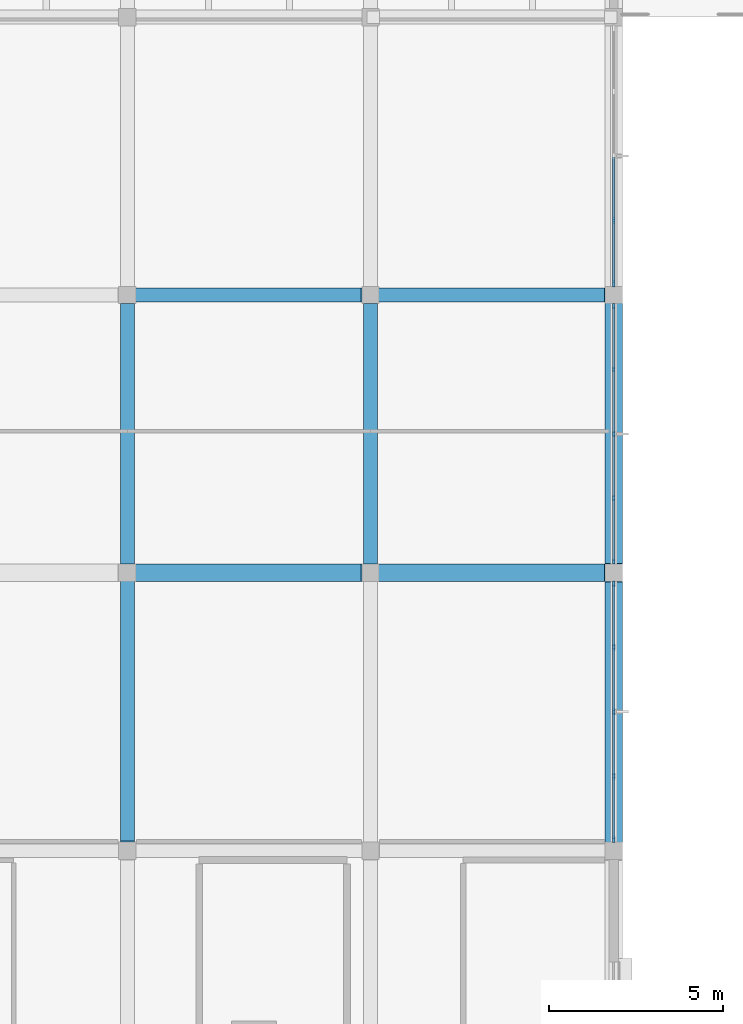
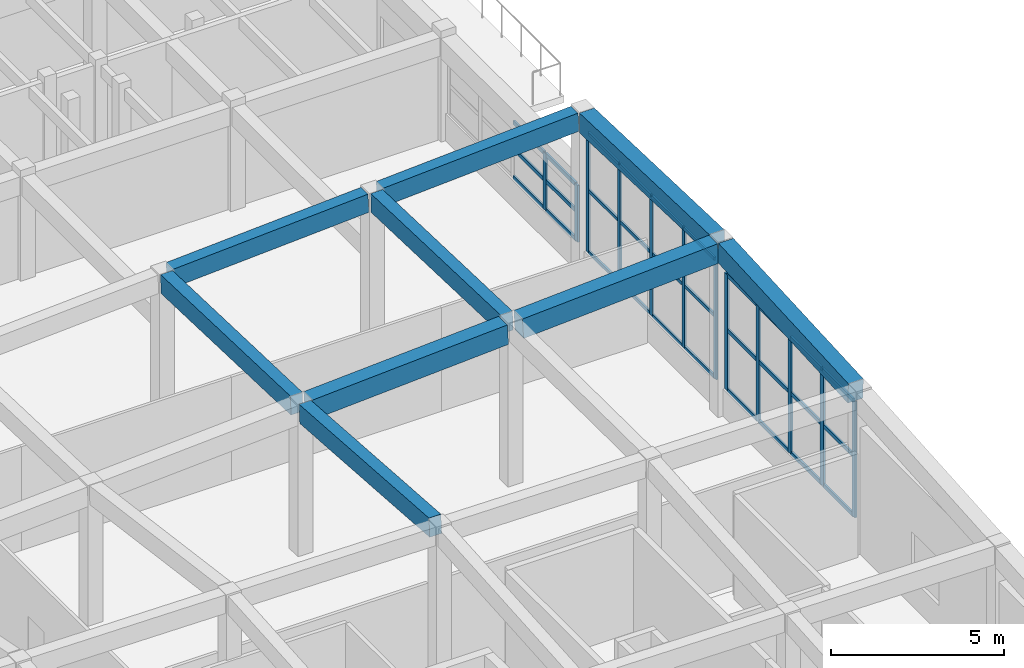
# One storey, part 36 of 89: 42 members, 9 beams, 3 elements without a shape of their own.
"""IFC4 building model written with IfcOpenShell, lengths in metres."""

from ifc_helpers import new_model, si_unit, direction, frame, origin, origin_2d, place, context, subcontext, project, spatial, rectangle, extrude, material, layer, layer_set, material_profile, profile_set, type_object, element, aggregate, save


model = new_model("IFC4")

# Units and contexts
model_context = context("Model", 3, precision=1e-05, world=origin(), true_north=direction((0.0, 1.0)))
body_context = subcontext(model_context, "Body", "Model", "MODEL_VIEW")
ifc_project = project(units=[si_unit("LENGTHUNIT", "METRE"), si_unit("AREAUNIT", "SQUARE_METRE"), si_unit("VOLUMEUNIT", "CUBIC_METRE"), si_unit("PLANEANGLEUNIT", "RADIAN"), si_unit("MASSUNIT", "GRAM", prefix="KILO")], contexts=[model_context])

# Site, building, storey
site_placement = place(None, origin())
site = spatial("IfcSite", under=ifc_project, at=site_placement, CompositionType="ELEMENT")
building_placement = place(site_placement, origin())
building = spatial("IfcBuilding", under=site, at=building_placement, Name="Tonlespit Floodbar School", CompositionType="ELEMENT")
storey_placement = place(building_placement, frame((0.0, 0.0, 4.5)))
storey = spatial("IfcBuildingStorey", under=building, at=storey_placement, Name="L01", CompositionType="ELEMENT", Elevation=4.5)

# Beams
ifc_material_1 = material(Name="Concrete C40/50", Category="concrete")
ifc_material_profile_1 = material_profile(ifc_material_1, rectangle(XDim=0.39990234375, YDim=0.64990234375, at=origin_2d()), Name="RC 400x650")
ifc_profile_set_1 = profile_set([ifc_material_profile_1], Name="Concrete C40/50")
beam_type_1 = type_object("IfcBeamType", Name="Beam_RC_400x650", PredefinedType="BEAM", material=ifc_profile_set_1)
for number, where, z_axis, x_axis, name in (
    (1, (162.25, 96.0, 4.74755859375), (0.99832914353, 0.0, 0.05778339882), (0.0, 1.0, 0.0), "L01 girder 0627"),
    (2, (169.25, 96.0, 5.15283203125), (0.99832914353, 0.0, 0.05778339882), (0.0, 1.0, 0.0), "L01 girder 0628"),
):
    element("IfcBeam", number, at=place(storey_placement, frame(where, z_axis=z_axis, x_axis=x_axis)), inside=storey, type_object=beam_type_1, Name=name, PredefinedType="BEAM", context=body_context, shape_type="SweptSolid", body=[
        extrude(rectangle(XDim=0.39990234375, YDim=0.64990234375, at=origin_2d()), origin(), (0.0, 0.0, 1.0), 6.510986328125),
    ])
beam_1_placement = place(storey_placement, frame((162.0, 80.25, 5.555908203125), z_axis=(0.0, 0.997450122095, -0.071367036731), x_axis=(-1.0, 0.0, 0.0)))
element("IfcBeam", 3, at=beam_1_placement, inside=storey, type_object=beam_type_1, Name="L01 girder 0770", PredefinedType="BEAM", context=body_context, shape_type="SweptSolid", body=[
    extrude(rectangle(XDim=0.39990234375, YDim=0.64990234375, at=origin_2d()), origin(), (0.0, 0.0, 1.0), 7.519287109375),
])
for number, where, z_axis, x_axis, name in (
    (4, (162.0, 88.25, 5.001953125), (0.0, 0.999398480102, -0.03467964778), (-1.0, 0.0, 0.0), "L01 girder 0771"),
    (5, (169.0, 88.25, 5.4072265625), (0.0, 0.999398480102, -0.03467964778), (-1.0, 0.0, 0.0), "L01 girder 0778"),
):
    element("IfcBeam", number, at=place(storey_placement, frame(where, z_axis=z_axis, x_axis=x_axis)), inside=storey, type_object=beam_type_1, Name=name, PredefinedType="BEAM", context=body_context, shape_type="SweptSolid", body=[
        extrude(rectangle(XDim=0.39990234375, YDim=0.64990234375, at=origin_2d()), origin(), (0.0, 0.0, 1.0), 7.50439453125),
    ])

# Curtain wall, members
ifc_material_2 = material(Name="Anodised Aluminium", Category="aluminium")
ifc_layer_1 = layer(ifc_material_2, 0.159912109375)
ifc_layer_set_1 = layer_set([ifc_layer_1], Name="Anodised Aluminium")
curtain_wall_type_1 = type_object("IfcCurtainWallType", Name="CurtainWall_7400x4250", PredefinedType="NOTDEFINED", material=ifc_layer_set_1)
curtain_wall_1_placement = place(storey_placement, origin())
curtain_wall_1 = element("IfcCurtainWall", 6, at=curtain_wall_1_placement, inside=storey, type_object=curtain_wall_type_1, Name="L01 unitised curtain wall 0412", PredefinedType="NOTDEFINED")
ifc_material_profile_2 = material_profile(ifc_material_2, rectangle(XDim=0.06494140625, YDim=0.14990234375, at=origin_2d()), Name="ALU M65x150")
ifc_profile_set_2 = profile_set([ifc_material_profile_2], Name="Anodised Aluminium")
member_type_1 = type_object("IfcMemberType", Name="CW_Mullion_65x150", PredefinedType="MULLION", material=ifc_profile_set_2)
member_1_placement = place(storey_placement, frame((176.0, 95.677490234375, 0.949951171875), z_axis=(0.0, 0.0, 1.0), x_axis=(1.0, 0.0, 0.0)))
member_1 = element("IfcMember", 7, at=member_1_placement, type_object=member_type_1, Name="CW-63 mullion 1", PredefinedType="MULLION", context=body_context, shape_type="SweptSolid", body=[
    extrude(rectangle(XDim=0.06494140625, YDim=0.14990234375, at=origin_2d()), origin(), (0.0, 0.0, 1.0), 4.227294921875),
])
member_2_placement = place(storey_placement, frame((176.0, 93.85498046875, 0.949951171875), z_axis=(0.0, 0.0, 1.0), x_axis=(1.0, 0.0, 0.0)))
member_2 = element("IfcMember", 8, at=member_2_placement, type_object=member_type_1, Name="CW-63 mullion 2", PredefinedType="MULLION", context=body_context, shape_type="SweptSolid", body=[
    extrude(rectangle(XDim=0.06494140625, YDim=0.14990234375, at=origin_2d()), origin(), (0.0, 0.0, 1.0), 4.227294921875),
])
member_3_placement = place(storey_placement, frame((176.0, 92.0, 0.949951171875), z_axis=(0.0, 0.0, 1.0), x_axis=(1.0, 0.0, 0.0)))
member_3 = element("IfcMember", 9, at=member_3_placement, type_object=member_type_1, Name="CW-63 mullion 3", PredefinedType="MULLION", context=body_context, shape_type="SweptSolid", body=[
    extrude(rectangle(XDim=0.06494140625, YDim=0.14990234375, at=origin_2d()), origin(), (0.0, 0.0, 1.0), 4.227294921875),
])
member_4_placement = place(storey_placement, frame((176.0, 90.14501953125, 0.949951171875), z_axis=(0.0, 0.0, 1.0), x_axis=(1.0, 0.0, 0.0)))
member_4 = element("IfcMember", 10, at=member_4_placement, type_object=member_type_1, Name="CW-63 mullion 4", PredefinedType="MULLION", context=body_context, shape_type="SweptSolid", body=[
    extrude(rectangle(XDim=0.06494140625, YDim=0.14990234375, at=origin_2d()), origin(), (0.0, 0.0, 1.0), 4.227294921875),
])
member_5_placement = place(storey_placement, frame((176.0, 88.322509765625, 0.949951171875), z_axis=(0.0, 0.0, 1.0), x_axis=(1.0, 0.0, 0.0)))
member_5 = element("IfcMember", 11, at=member_5_placement, type_object=member_type_1, Name="CW-63 mullion 5", PredefinedType="MULLION", context=body_context, shape_type="SweptSolid", body=[
    extrude(rectangle(XDim=0.06494140625, YDim=0.14990234375, at=origin_2d()), origin(), (0.0, 0.0, 1.0), 4.227294921875),
])

ifc_layer_2 = layer(ifc_material_2, 0.159912109375)
ifc_layer_set_2 = layer_set([ifc_layer_2], Name="Anodised Aluminium")
curtain_wall_type_2 = type_object("IfcCurtainWallType", Name="CurtainWall_7400x2000", PredefinedType="NOTDEFINED", material=ifc_layer_set_2)
curtain_wall_2_placement = place(storey_placement, origin())
curtain_wall_2 = element("IfcCurtainWall", 12, at=curtain_wall_2_placement, inside=storey, type_object=curtain_wall_type_2, Name="L01 unitised curtain wall 0411", PredefinedType="NOTDEFINED")
ifc_material_profile_3 = material_profile(ifc_material_2, rectangle(XDim=0.06494140625, YDim=0.179931640625, at=origin_2d()), Name="ALU M65x180")
ifc_profile_set_3 = profile_set([ifc_material_profile_3], Name="Anodised Aluminium")
member_type_2 = type_object("IfcMemberType", Name="CW_Mullion_65x180", PredefinedType="MULLION", material=ifc_profile_set_3)
member_6_placement = place(storey_placement, frame((176.0, 98.14501953125, 0.949951171875), z_axis=(0.0, 0.0, 1.0), x_axis=(1.0, 0.0, 0.0)))
member_6 = element("IfcMember", 13, at=member_6_placement, type_object=member_type_2, Name="CW-60 mullion 4", PredefinedType="MULLION", context=body_context, shape_type="SweptSolid", body=[
    extrude(rectangle(XDim=0.06494140625, YDim=0.179931640625, at=origin_2d()), origin(), (0.0, 0.0, 1.0), 2.0),
])
member_7_placement = place(storey_placement, frame((176.0, 96.322509765625, 0.949951171875), z_axis=(0.0, 0.0, 1.0), x_axis=(1.0, 0.0, 0.0)))
member_7 = element("IfcMember", 14, at=member_7_placement, type_object=member_type_2, Name="CW-60 mullion 5", PredefinedType="MULLION", context=body_context, shape_type="SweptSolid", body=[
    extrude(rectangle(XDim=0.06494140625, YDim=0.179931640625, at=origin_2d()), origin(), (0.0, 0.0, 1.0), 2.0),
])

ifc_layer_3 = layer(ifc_material_2, 0.159912109375)
ifc_layer_set_3 = layer_set([ifc_layer_3], Name="Anodised Aluminium")
curtain_wall_type_3 = type_object("IfcCurtainWallType", Name="CurtainWall_7400x4100", PredefinedType="NOTDEFINED", material=ifc_layer_set_3)
curtain_wall_3_placement = place(storey_placement, origin())
curtain_wall_3 = element("IfcCurtainWall", 15, at=curtain_wall_3_placement, inside=storey, type_object=curtain_wall_type_3, Name="L01 unitised curtain wall 0413", PredefinedType="NOTDEFINED")
member_8_placement = place(storey_placement, frame((176.0, 87.677490234375, 0.949951171875), z_axis=(0.0, 0.0, 1.0), x_axis=(1.0, 0.0, 0.0)))
member_8 = element("IfcMember", 16, at=member_8_placement, type_object=member_type_2, Name="CW-64 mullion 1", PredefinedType="MULLION", context=body_context, shape_type="SweptSolid", body=[
    extrude(rectangle(XDim=0.06494140625, YDim=0.179931640625, at=origin_2d()), origin(), (0.0, 0.0, 1.0), 4.09912109375),
])
member_9_placement = place(storey_placement, frame((176.0, 85.85498046875, 0.949951171875), z_axis=(0.0, 0.0, 1.0), x_axis=(1.0, 0.0, 0.0)))
member_9 = element("IfcMember", 17, at=member_9_placement, type_object=member_type_2, Name="CW-64 mullion 2", PredefinedType="MULLION", context=body_context, shape_type="SweptSolid", body=[
    extrude(rectangle(XDim=0.06494140625, YDim=0.179931640625, at=origin_2d()), origin(), (0.0, 0.0, 1.0), 4.09912109375),
])
member_10_placement = place(storey_placement, frame((176.0, 84.0, 0.949951171875), z_axis=(0.0, 0.0, 1.0), x_axis=(1.0, 0.0, 0.0)))
member_10 = element("IfcMember", 18, at=member_10_placement, type_object=member_type_2, Name="CW-64 mullion 3", PredefinedType="MULLION", context=body_context, shape_type="SweptSolid", body=[
    extrude(rectangle(XDim=0.06494140625, YDim=0.179931640625, at=origin_2d()), origin(), (0.0, 0.0, 1.0), 4.09912109375),
])
member_11_placement = place(storey_placement, frame((176.0, 82.14501953125, 0.949951171875), z_axis=(0.0, 0.0, 1.0), x_axis=(1.0, 0.0, 0.0)))
member_11 = element("IfcMember", 19, at=member_11_placement, type_object=member_type_2, Name="CW-64 mullion 4", PredefinedType="MULLION", context=body_context, shape_type="SweptSolid", body=[
    extrude(rectangle(XDim=0.06494140625, YDim=0.179931640625, at=origin_2d()), origin(), (0.0, 0.0, 1.0), 4.09912109375),
])
member_12_placement = place(storey_placement, frame((176.0, 80.322509765625, 0.949951171875), z_axis=(0.0, 0.0, 1.0), x_axis=(1.0, 0.0, 0.0)))
member_12 = element("IfcMember", 20, at=member_12_placement, type_object=member_type_2, Name="CW-64 mullion 5", PredefinedType="MULLION", context=body_context, shape_type="SweptSolid", body=[
    extrude(rectangle(XDim=0.06494140625, YDim=0.179931640625, at=origin_2d()), origin(), (0.0, 0.0, 1.0), 4.09912109375),
])

# Member
ifc_material_profile_4 = material_profile(ifc_material_2, rectangle(XDim=0.06494140625, YDim=0.1201171875, at=origin_2d()), Name="ALU T65x120")
ifc_profile_set_4 = profile_set([ifc_material_profile_4], Name="Anodised Aluminium")
member_type_3 = type_object("IfcMemberType", Name="CW_Transom_65x120", PredefinedType="USERDEFINED", material=ifc_profile_set_4)
member_13_placement = place(storey_placement, frame((176.0, 95.64501953125, 0.982421875), z_axis=(0.0, -1.0, 0.0), x_axis=(1.0, 0.0, 0.0)))
member_13 = element("IfcMember", 21, at=member_13_placement, type_object=member_type_3, Name="CW-63 transom 1.1", ObjectType="TRANSOM", PredefinedType="USERDEFINED", context=body_context, shape_type="SweptSolid", body=[
    extrude(rectangle(XDim=0.06494140625, YDim=0.1201171875, at=origin_2d()), origin(), (0.0, 0.0, 1.0), 1.757568359375),
])

member_14_placement = place(storey_placement, frame((176.0, 95.64501953125, 3.148193359375), z_axis=(0.0, -1.0, 0.0), x_axis=(1.0, 0.0, 0.0)))
member_14 = element("IfcMember", 22, at=member_14_placement, type_object=member_type_3, Name="CW-63 transom 1.2", ObjectType="TRANSOM", PredefinedType="USERDEFINED", context=body_context, shape_type="SweptSolid", body=[
    extrude(rectangle(XDim=0.06494140625, YDim=0.1201171875, at=origin_2d()), origin(), (0.0, 0.0, 1.0), 1.757568359375),
])

member_15_placement = place(storey_placement, frame((176.0, 95.64501953125, 5.144775390625), z_axis=(0.0, -1.0, 0.0), x_axis=(1.0, 0.0, 0.0)))
member_15 = element("IfcMember", 23, at=member_15_placement, type_object=member_type_3, Name="CW-63 transom 1.3", ObjectType="TRANSOM", PredefinedType="USERDEFINED", context=body_context, shape_type="SweptSolid", body=[
    extrude(rectangle(XDim=0.06494140625, YDim=0.1201171875, at=origin_2d()), origin(), (0.0, 0.0, 1.0), 1.757568359375),
])

member_16_placement = place(storey_placement, frame((176.0, 93.822509765625, 0.982421875), z_axis=(0.0, -1.0, 0.0), x_axis=(1.0, 0.0, 0.0)))
member_16 = element("IfcMember", 24, at=member_16_placement, type_object=member_type_3, Name="CW-63 transom 2.1", ObjectType="TRANSOM", PredefinedType="USERDEFINED", context=body_context, shape_type="SweptSolid", body=[
    extrude(rectangle(XDim=0.06494140625, YDim=0.1201171875, at=origin_2d()), origin(), (0.0, 0.0, 1.0), 1.7900390625),
])

member_17_placement = place(storey_placement, frame((176.0, 93.822509765625, 3.148193359375), z_axis=(0.0, -1.0, 0.0), x_axis=(1.0, 0.0, 0.0)))
member_17 = element("IfcMember", 25, at=member_17_placement, type_object=member_type_3, Name="CW-63 transom 2.2", ObjectType="TRANSOM", PredefinedType="USERDEFINED", context=body_context, shape_type="SweptSolid", body=[
    extrude(rectangle(XDim=0.06494140625, YDim=0.1201171875, at=origin_2d()), origin(), (0.0, 0.0, 1.0), 1.7900390625),
])

member_18_placement = place(storey_placement, frame((176.0, 93.822509765625, 5.144775390625), z_axis=(0.0, -1.0, 0.0), x_axis=(1.0, 0.0, 0.0)))
member_18 = element("IfcMember", 26, at=member_18_placement, type_object=member_type_3, Name="CW-63 transom 2.3", ObjectType="TRANSOM", PredefinedType="USERDEFINED", context=body_context, shape_type="SweptSolid", body=[
    extrude(rectangle(XDim=0.06494140625, YDim=0.1201171875, at=origin_2d()), origin(), (0.0, 0.0, 1.0), 1.7900390625),
])

member_19_placement = place(storey_placement, frame((176.0, 91.967529296875, 0.982421875), z_axis=(0.0, -1.0, 0.0), x_axis=(1.0, 0.0, 0.0)))
member_19 = element("IfcMember", 27, at=member_19_placement, type_object=member_type_3, Name="CW-63 transom 3.1", ObjectType="TRANSOM", PredefinedType="USERDEFINED", context=body_context, shape_type="SweptSolid", body=[
    extrude(rectangle(XDim=0.06494140625, YDim=0.1201171875, at=origin_2d()), origin(), (0.0, 0.0, 1.0), 1.7900390625),
])

member_20_placement = place(storey_placement, frame((176.0, 91.967529296875, 3.148193359375), z_axis=(0.0, -1.0, 0.0), x_axis=(1.0, 0.0, 0.0)))
member_20 = element("IfcMember", 28, at=member_20_placement, type_object=member_type_3, Name="CW-63 transom 3.2", ObjectType="TRANSOM", PredefinedType="USERDEFINED", context=body_context, shape_type="SweptSolid", body=[
    extrude(rectangle(XDim=0.06494140625, YDim=0.1201171875, at=origin_2d()), origin(), (0.0, 0.0, 1.0), 1.7900390625),
])

member_21_placement = place(storey_placement, frame((176.0, 91.967529296875, 5.144775390625), z_axis=(0.0, -1.0, 0.0), x_axis=(1.0, 0.0, 0.0)))
member_21 = element("IfcMember", 29, at=member_21_placement, type_object=member_type_3, Name="CW-63 transom 3.3", ObjectType="TRANSOM", PredefinedType="USERDEFINED", context=body_context, shape_type="SweptSolid", body=[
    extrude(rectangle(XDim=0.06494140625, YDim=0.1201171875, at=origin_2d()), origin(), (0.0, 0.0, 1.0), 1.7900390625),
])

member_22_placement = place(storey_placement, frame((176.0, 90.112548828125, 0.982421875), z_axis=(0.0, -1.0, 0.0), x_axis=(1.0, 0.0, 0.0)))
member_22 = element("IfcMember", 30, at=member_22_placement, type_object=member_type_3, Name="CW-63 transom 4.1", ObjectType="TRANSOM", PredefinedType="USERDEFINED", context=body_context, shape_type="SweptSolid", body=[
    extrude(rectangle(XDim=0.06494140625, YDim=0.1201171875, at=origin_2d()), origin(), (0.0, 0.0, 1.0), 1.757568359375),
])

member_23_placement = place(storey_placement, frame((176.0, 90.112548828125, 3.148193359375), z_axis=(0.0, -1.0, 0.0), x_axis=(1.0, 0.0, 0.0)))
member_23 = element("IfcMember", 31, at=member_23_placement, type_object=member_type_3, Name="CW-63 transom 4.2", ObjectType="TRANSOM", PredefinedType="USERDEFINED", context=body_context, shape_type="SweptSolid", body=[
    extrude(rectangle(XDim=0.06494140625, YDim=0.1201171875, at=origin_2d()), origin(), (0.0, 0.0, 1.0), 1.757568359375),
])

member_24_placement = place(storey_placement, frame((176.0, 90.112548828125, 5.144775390625), z_axis=(0.0, -1.0, 0.0), x_axis=(1.0, 0.0, 0.0)))
member_24 = element("IfcMember", 32, at=member_24_placement, type_object=member_type_3, Name="CW-63 transom 4.3", ObjectType="TRANSOM", PredefinedType="USERDEFINED", context=body_context, shape_type="SweptSolid", body=[
    extrude(rectangle(XDim=0.06494140625, YDim=0.1201171875, at=origin_2d()), origin(), (0.0, 0.0, 1.0), 1.757568359375),
])

aggregate(curtain_wall_1, [member_1, member_2, member_3, member_4, member_5, member_13, member_14, member_15, member_16, member_17, member_18, member_19, member_20, member_21, member_22, member_23, member_24])

ifc_material_profile_5 = material_profile(ifc_material_2, rectangle(XDim=0.06494140625, YDim=0.139892578125, at=origin_2d()), Name="ALU T65x140")
ifc_profile_set_5 = profile_set([ifc_material_profile_5], Name="Anodised Aluminium")
member_type_4 = type_object("IfcMemberType", Name="CW_Transom_65x140", PredefinedType="USERDEFINED", material=ifc_profile_set_5)
member_25_placement = place(storey_placement, frame((176.0, 99.967529296875, 0.982421875), z_axis=(0.0, -1.0, 0.0), x_axis=(1.0, 0.0, 0.0)))
member_25 = element("IfcMember", 33, at=member_25_placement, type_object=member_type_4, Name="CW-60 transom 3.1", ObjectType="TRANSOM", PredefinedType="USERDEFINED", context=body_context, shape_type="SweptSolid", body=[
    extrude(rectangle(XDim=0.06494140625, YDim=0.139892578125, at=origin_2d()), origin(), (0.0, 0.0, 1.0), 1.7900390625),
])

member_26_placement = place(storey_placement, frame((176.0, 99.967529296875, 1.989990234375), z_axis=(0.0, -1.0, 0.0), x_axis=(1.0, 0.0, 0.0)))
member_26 = element("IfcMember", 34, at=member_26_placement, type_object=member_type_4, Name="CW-60 transom 3.2", ObjectType="TRANSOM", PredefinedType="USERDEFINED", context=body_context, shape_type="SweptSolid", body=[
    extrude(rectangle(XDim=0.06494140625, YDim=0.139892578125, at=origin_2d()), origin(), (0.0, 0.0, 1.0), 1.7900390625),
])

member_27_placement = place(storey_placement, frame((176.0, 99.967529296875, 2.91748046875), z_axis=(0.0, -1.0, 0.0), x_axis=(1.0, 0.0, 0.0)))
member_27 = element("IfcMember", 35, at=member_27_placement, type_object=member_type_4, Name="CW-60 transom 3.3", ObjectType="TRANSOM", PredefinedType="USERDEFINED", context=body_context, shape_type="SweptSolid", body=[
    extrude(rectangle(XDim=0.06494140625, YDim=0.139892578125, at=origin_2d()), origin(), (0.0, 0.0, 1.0), 1.7900390625),
])

member_28_placement = place(storey_placement, frame((176.0, 98.112548828125, 0.982421875), z_axis=(0.0, -1.0, 0.0), x_axis=(1.0, 0.0, 0.0)))
member_28 = element("IfcMember", 36, at=member_28_placement, type_object=member_type_4, Name="CW-60 transom 4.1", ObjectType="TRANSOM", PredefinedType="USERDEFINED", context=body_context, shape_type="SweptSolid", body=[
    extrude(rectangle(XDim=0.06494140625, YDim=0.139892578125, at=origin_2d()), origin(), (0.0, 0.0, 1.0), 1.757568359375),
])

member_29_placement = place(storey_placement, frame((176.0, 98.112548828125, 1.989990234375), z_axis=(0.0, -1.0, 0.0), x_axis=(1.0, 0.0, 0.0)))
member_29 = element("IfcMember", 37, at=member_29_placement, type_object=member_type_4, Name="CW-60 transom 4.2", ObjectType="TRANSOM", PredefinedType="USERDEFINED", context=body_context, shape_type="SweptSolid", body=[
    extrude(rectangle(XDim=0.06494140625, YDim=0.139892578125, at=origin_2d()), origin(), (0.0, 0.0, 1.0), 1.757568359375),
])

member_30_placement = place(storey_placement, frame((176.0, 98.112548828125, 2.91748046875), z_axis=(0.0, -1.0, 0.0), x_axis=(1.0, 0.0, 0.0)))
member_30 = element("IfcMember", 38, at=member_30_placement, type_object=member_type_4, Name="CW-60 transom 4.3", ObjectType="TRANSOM", PredefinedType="USERDEFINED", context=body_context, shape_type="SweptSolid", body=[
    extrude(rectangle(XDim=0.06494140625, YDim=0.139892578125, at=origin_2d()), origin(), (0.0, 0.0, 1.0), 1.757568359375),
])

aggregate(curtain_wall_2, [member_6, member_7, member_25, member_26, member_27, member_28, member_29, member_30])

member_31_placement = place(storey_placement, frame((176.0, 87.64501953125, 0.982421875), z_axis=(0.0, -1.0, 0.0), x_axis=(1.0, 0.0, 0.0)))
member_31 = element("IfcMember", 39, at=member_31_placement, type_object=member_type_4, Name="CW-64 transom 1.1", ObjectType="TRANSOM", PredefinedType="USERDEFINED", context=body_context, shape_type="SweptSolid", body=[
    extrude(rectangle(XDim=0.06494140625, YDim=0.139892578125, at=origin_2d()), origin(), (0.0, 0.0, 1.0), 1.757568359375),
])

member_32_placement = place(storey_placement, frame((176.0, 87.64501953125, 3.08154296875), z_axis=(0.0, -1.0, 0.0), x_axis=(1.0, 0.0, 0.0)))
member_32 = element("IfcMember", 40, at=member_32_placement, type_object=member_type_4, Name="CW-64 transom 1.2", ObjectType="TRANSOM", PredefinedType="USERDEFINED", context=body_context, shape_type="SweptSolid", body=[
    extrude(rectangle(XDim=0.06494140625, YDim=0.139892578125, at=origin_2d()), origin(), (0.0, 0.0, 1.0), 1.757568359375),
])

member_33_placement = place(storey_placement, frame((176.0, 87.64501953125, 5.0166015625), z_axis=(0.0, -1.0, 0.0), x_axis=(1.0, 0.0, 0.0)))
member_33 = element("IfcMember", 41, at=member_33_placement, type_object=member_type_4, Name="CW-64 transom 1.3", ObjectType="TRANSOM", PredefinedType="USERDEFINED", context=body_context, shape_type="SweptSolid", body=[
    extrude(rectangle(XDim=0.06494140625, YDim=0.139892578125, at=origin_2d()), origin(), (0.0, 0.0, 1.0), 1.757568359375),
])

member_34_placement = place(storey_placement, frame((176.0, 85.822509765625, 0.982421875), z_axis=(0.0, -1.0, 0.0), x_axis=(1.0, 0.0, 0.0)))
member_34 = element("IfcMember", 42, at=member_34_placement, type_object=member_type_4, Name="CW-64 transom 2.1", ObjectType="TRANSOM", PredefinedType="USERDEFINED", context=body_context, shape_type="SweptSolid", body=[
    extrude(rectangle(XDim=0.06494140625, YDim=0.139892578125, at=origin_2d()), origin(), (0.0, 0.0, 1.0), 1.7900390625),
])

member_35_placement = place(storey_placement, frame((176.0, 85.822509765625, 3.08154296875), z_axis=(0.0, -1.0, 0.0), x_axis=(1.0, 0.0, 0.0)))
member_35 = element("IfcMember", 43, at=member_35_placement, type_object=member_type_4, Name="CW-64 transom 2.2", ObjectType="TRANSOM", PredefinedType="USERDEFINED", context=body_context, shape_type="SweptSolid", body=[
    extrude(rectangle(XDim=0.06494140625, YDim=0.139892578125, at=origin_2d()), origin(), (0.0, 0.0, 1.0), 1.7900390625),
])

member_36_placement = place(storey_placement, frame((176.0, 85.822509765625, 5.0166015625), z_axis=(0.0, -1.0, 0.0), x_axis=(1.0, 0.0, 0.0)))
member_36 = element("IfcMember", 44, at=member_36_placement, type_object=member_type_4, Name="CW-64 transom 2.3", ObjectType="TRANSOM", PredefinedType="USERDEFINED", context=body_context, shape_type="SweptSolid", body=[
    extrude(rectangle(XDim=0.06494140625, YDim=0.139892578125, at=origin_2d()), origin(), (0.0, 0.0, 1.0), 1.7900390625),
])

member_37_placement = place(storey_placement, frame((176.0, 83.967529296875, 0.982421875), z_axis=(0.0, -1.0, 0.0), x_axis=(1.0, 0.0, 0.0)))
member_37 = element("IfcMember", 45, at=member_37_placement, type_object=member_type_4, Name="CW-64 transom 3.1", ObjectType="TRANSOM", PredefinedType="USERDEFINED", context=body_context, shape_type="SweptSolid", body=[
    extrude(rectangle(XDim=0.06494140625, YDim=0.139892578125, at=origin_2d()), origin(), (0.0, 0.0, 1.0), 1.7900390625),
])

member_38_placement = place(storey_placement, frame((176.0, 83.967529296875, 3.08154296875), z_axis=(0.0, -1.0, 0.0), x_axis=(1.0, 0.0, 0.0)))
member_38 = element("IfcMember", 46, at=member_38_placement, type_object=member_type_4, Name="CW-64 transom 3.2", ObjectType="TRANSOM", PredefinedType="USERDEFINED", context=body_context, shape_type="SweptSolid", body=[
    extrude(rectangle(XDim=0.06494140625, YDim=0.139892578125, at=origin_2d()), origin(), (0.0, 0.0, 1.0), 1.7900390625),
])

member_39_placement = place(storey_placement, frame((176.0, 83.967529296875, 5.0166015625), z_axis=(0.0, -1.0, 0.0), x_axis=(1.0, 0.0, 0.0)))
member_39 = element("IfcMember", 47, at=member_39_placement, type_object=member_type_4, Name="CW-64 transom 3.3", ObjectType="TRANSOM", PredefinedType="USERDEFINED", context=body_context, shape_type="SweptSolid", body=[
    extrude(rectangle(XDim=0.06494140625, YDim=0.139892578125, at=origin_2d()), origin(), (0.0, 0.0, 1.0), 1.7900390625),
])

member_40_placement = place(storey_placement, frame((176.0, 82.112548828125, 0.982421875), z_axis=(0.0, -1.0, 0.0), x_axis=(1.0, 0.0, 0.0)))
member_40 = element("IfcMember", 48, at=member_40_placement, type_object=member_type_4, Name="CW-64 transom 4.1", ObjectType="TRANSOM", PredefinedType="USERDEFINED", context=body_context, shape_type="SweptSolid", body=[
    extrude(rectangle(XDim=0.06494140625, YDim=0.139892578125, at=origin_2d()), origin(), (0.0, 0.0, 1.0), 1.757568359375),
])

member_41_placement = place(storey_placement, frame((176.0, 82.112548828125, 3.08154296875), z_axis=(0.0, -1.0, 0.0), x_axis=(1.0, 0.0, 0.0)))
member_41 = element("IfcMember", 49, at=member_41_placement, type_object=member_type_4, Name="CW-64 transom 4.2", ObjectType="TRANSOM", PredefinedType="USERDEFINED", context=body_context, shape_type="SweptSolid", body=[
    extrude(rectangle(XDim=0.06494140625, YDim=0.139892578125, at=origin_2d()), origin(), (0.0, 0.0, 1.0), 1.757568359375),
])

member_42_placement = place(storey_placement, frame((176.0, 82.112548828125, 5.0166015625), z_axis=(0.0, -1.0, 0.0), x_axis=(1.0, 0.0, 0.0)))
member_42 = element("IfcMember", 50, at=member_42_placement, type_object=member_type_4, Name="CW-64 transom 4.3", ObjectType="TRANSOM", PredefinedType="USERDEFINED", context=body_context, shape_type="SweptSolid", body=[
    extrude(rectangle(XDim=0.06494140625, YDim=0.139892578125, at=origin_2d()), origin(), (0.0, 0.0, 1.0), 1.757568359375),
])

aggregate(curtain_wall_3, [member_8, member_9, member_10, member_11, member_12, member_31, member_32, member_33, member_34, member_35, member_36, member_37, member_38, member_39, member_40, member_41, member_42])

# Beams
ifc_material_profile_6 = material_profile(ifc_material_1, rectangle(XDim=0.5, YDim=0.699951171875, at=origin_2d()), Name="RC 500x700")
ifc_profile_set_6 = profile_set([ifc_material_profile_6], Name="Concrete C40/50")
beam_type_2 = type_object("IfcBeamType", Name="Spandrel_RC_500x700", PredefinedType="SPANDREL", material=ifc_profile_set_6)
for number, where, z_axis, x_axis, name in (
    (51, (162.25, 88.0, 5.0), (0.998326979732, 0.0, 0.057820770836), (0.0, 1.0, 0.0), "L01 girder 0610"),
    (52, (169.25, 88.0, 5.405517578125), (0.99832914353, 0.0, 0.05778339882), (0.0, 1.0, 0.0), "L01 girder 0611"),
):
    element("IfcBeam", number, at=place(storey_placement, frame(where, z_axis=z_axis, x_axis=x_axis)), inside=storey, type_object=beam_type_2, Name=name, PredefinedType="SPANDREL", context=body_context, shape_type="SweptSolid", body=[
        extrude(rectangle(XDim=0.5, YDim=0.699951171875, at=origin_2d()), origin(), (0.0, 0.0, 1.0), 6.510986328125),
    ])
beam_2_placement = place(storey_placement, frame((176.0, 80.25, 5.399169921875), z_axis=(0.0, 0.998541468245, 0.053990149048), x_axis=(-1.0, 0.0, 0.0)))
element("IfcBeam", 53, at=beam_2_placement, inside=storey, type_object=beam_type_2, Name="L01 girder 0784", PredefinedType="SPANDREL", context=body_context, shape_type="SweptSolid", body=[
    extrude(rectangle(XDim=0.5, YDim=0.699951171875, at=origin_2d()), origin(), (0.0, 0.0, 1.0), 7.510986328125),
])
beam_3_placement = place(storey_placement, frame((176.0, 88.25, 5.78759765625), z_axis=(0.0, 0.999398480102, -0.03467964778), x_axis=(-1.0, 0.0, 0.0)))
element("IfcBeam", 54, at=beam_3_placement, inside=storey, type_object=beam_type_2, Name="L01 girder 0785", PredefinedType="SPANDREL", context=body_context, shape_type="SweptSolid", body=[
    extrude(rectangle(XDim=0.5, YDim=0.699951171875, at=origin_2d()), origin(), (0.0, 0.0, 1.0), 7.50439453125),
])

save(model, "model.ifc")
